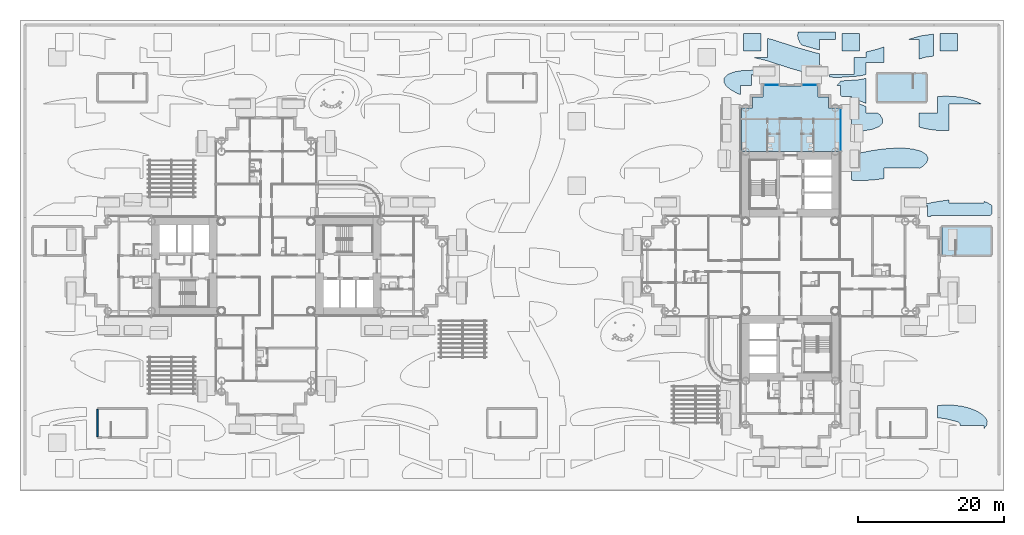
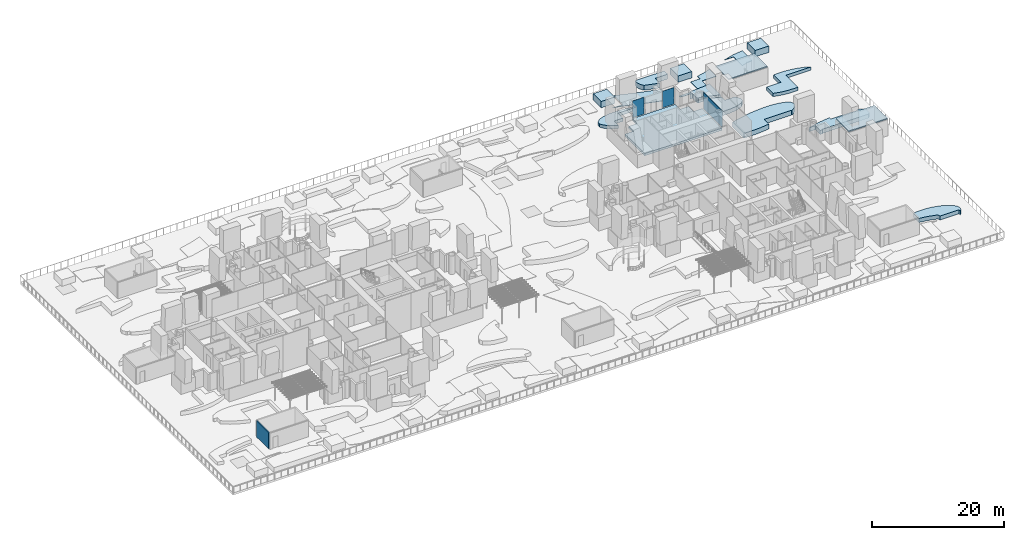
# One storey, part 22 of 40: 17 slabs, 3 plates, 1 wall, 3 elements without a shape of their own.
"""IFC4 building model written with IfcOpenShell, lengths in metres."""

import ifcopenshell
import ifcopenshell.guid

model = None  # the IFC model being written
_history = None  # IfcOwnerHistory: only IFC2X3 demands one
_inside = {}  # id of a spatial element -> (the spatial element, [elements in it])
_under = {}  # id of a project, library or spatial element -> (it, [spatial elements below it])
_declared = {}  # id of a project -> (the project, [libraries it declares])
_typed = {}  # id of a type object -> (the type object, [elements of that type])
_made_of = {}  # id of a material, layer set ... -> (it, [elements and type objects made of it])


def new_model(schema):
    """Start an empty IFC model of exactly this schema.

    Asked for "IFC4X3", IfcOpenShell would pick the latest addendum, in which some entities
    have other attributes; the version numbers below select the first issue.
    IFC2X3 requires an IfcOwnerHistory on every rooted entity: one is made here for all.
    """
    global model, _history
    if schema == "IFC4X3":
        model = ifcopenshell.file(schema_version=(4, 3, 0, 0))
    else:
        model = ifcopenshell.file(schema=schema)
    _inside.clear()
    _under.clear()
    _declared.clear()
    _typed.clear()
    _made_of.clear()
    _history = None
    if model.schema == "IFC2X3":
        org = make("IfcOrganization", Name="unknown")
        user = make(
            "IfcPersonAndOrganization",
            ThePerson=make("IfcPerson", FamilyName="unknown"),
            TheOrganization=org,
        )
        app = make(
            "IfcApplication",
            ApplicationDeveloper=org,
            Version="unknown",
            ApplicationFullName="unknown",
            ApplicationIdentifier="unknown",
        )
        _history = make(
            "IfcOwnerHistory",
            OwningUser=user,
            OwningApplication=app,
            ChangeAction="ADDED",
            CreationDate=0,
        )
    return model


def make(cls, **values):
    """One entity of the class cls with the attributes given. An attribute that is None is left unset."""
    return model.create_entity(
        cls, **{name: value for name, value in values.items() if value is not None}
    )


def rooted(cls, **values):
    """An entity with a GlobalId (a new one), such as an element, a storey or a relation."""
    return make(cls, GlobalId=ifcopenshell.guid.new(), OwnerHistory=_history, **values)


def si_unit(unit_type, name, prefix=None):
    """IfcSIUnit, for example si_unit("LENGTHUNIT", "METRE", prefix="MILLI")."""
    return make("IfcSIUnit", UnitType=unit_type, Prefix=prefix, Name=name)


def assignment(units):
    """IfcUnitAssignment: the units of a project."""
    return None if units is None else make("IfcUnitAssignment", Units=units)


def point(xyz):
    """IfcCartesianPoint."""
    return None if xyz is None else make("IfcCartesianPoint", Coordinates=xyz)


def direction(xyz):
    """IfcDirection."""
    return None if xyz is None else make("IfcDirection", DirectionRatios=xyz)


def frame(location, z_axis=None, x_axis=None):
    """IfcAxis2Placement3D, a coordinate frame: its origin and axes. An axis left out is left unset."""
    return make(
        "IfcAxis2Placement3D",
        Location=point(location),
        Axis=direction(z_axis),
        RefDirection=direction(x_axis),
    )


def frame_2d(location, x_axis=None):
    """IfcAxis2Placement2D, a coordinate frame in the plane: its origin and x axis."""
    return make(
        "IfcAxis2Placement2D", Location=point(location), RefDirection=direction(x_axis)
    )


def origin():
    """The frame at (0, 0, 0) with its axes left unset."""
    return frame((0.0, 0.0, 0.0))


def origin_2d():
    """The frame at (0, 0) in the plane with its x axis left unset."""
    return frame_2d((0.0, 0.0))


def place(relative_to, where):
    """IfcLocalPlacement: puts the frame where relative to a parent placement (None: the world)."""
    return make(
        "IfcLocalPlacement", PlacementRelTo=relative_to, RelativePlacement=where
    )


def context(
    kind, dimensions, precision=None, world=None, true_north=None, identifier=None
):
    """IfcGeometricRepresentationContext, for example the 3D "Model" context."""
    return make(
        "IfcGeometricRepresentationContext",
        ContextIdentifier=identifier,
        ContextType=kind,
        CoordinateSpaceDimension=dimensions,
        Precision=precision,
        WorldCoordinateSystem=world,
        TrueNorth=true_north,
    )


def subcontext(parent, identifier, kind, view, scale=None):
    """IfcGeometricRepresentationSubContext, for example "Body" below "Model"."""
    return make(
        "IfcGeometricRepresentationSubContext",
        ContextIdentifier=identifier,
        ContextType=kind,
        ParentContext=parent,
        TargetScale=scale,
        TargetView=view,
    )


def project(units=None, contexts=None):
    """IfcProject with its units and contexts."""
    return rooted(
        "IfcProject",
        Name="project",
        RepresentationContexts=contexts,
        UnitsInContext=assignment(units),
    )


def spatial(cls, under=None, at=None, **own):
    """A site, building, storey or space (cls), placed at a placement, below another one or the project."""
    s = rooted(cls, ObjectPlacement=at, **own)
    if under is not None:
        _under.setdefault(under.id(), (under, []))[1].append(s)
    return s


def polyline(points):
    """IfcPolyline through the points."""
    return make("IfcPolyline", Points=[point(p) for p in points])


def profile(cls, at=None, kind="AREA", **sizes):
    """A parametric profile (cls). Its sizes go by their IFC names, for example OverallWidth=200.0."""
    return make(cls, ProfileType=kind, Position=at, **sizes)


def rectangle(**sizes):
    """IfcRectangleProfileDef."""
    return profile("IfcRectangleProfileDef", **sizes)


def outline(outer, holes=None, kind="AREA"):
    """IfcArbitraryClosedProfileDef: a profile drawn as a closed curve; with holes, ...WithVoids."""
    if holes is None:
        return make("IfcArbitraryClosedProfileDef", ProfileType=kind, OuterCurve=outer)
    return make(
        "IfcArbitraryProfileDefWithVoids",
        ProfileType=kind,
        OuterCurve=outer,
        InnerCurves=holes,
    )


def extrude(swept, where, along, depth):
    """IfcExtrudedAreaSolid: the profile swept, set in the frame where, extruded along a direction by depth."""
    return make(
        "IfcExtrudedAreaSolid",
        SweptArea=swept,
        Position=where,
        ExtrudedDirection=direction(along),
        Depth=depth,
    )


def shape(context_of_items, identifier, shape_type, items):
    """IfcShapeRepresentation: the items that make up one representation, for example the "Body"."""
    return make(
        "IfcShapeRepresentation",
        ContextOfItems=context_of_items,
        RepresentationIdentifier=identifier,
        RepresentationType=shape_type,
        Items=items,
    )


def material(Name=None, Category=None):
    """IfcMaterial."""
    return make("IfcMaterial", Name=Name, Category=Category)


def layer(
    of_material, thickness, ventilated=None, Name=None, Category=None, Priority=None
):
    """IfcMaterialLayer: one layer of a wall or slab, of a material (None: an air gap)."""
    return make(
        "IfcMaterialLayer",
        Material=of_material,
        LayerThickness=thickness,
        IsVentilated=ventilated,
        Name=Name,
        Category=Category,
        Priority=Priority,
    )


def layer_set(layers, Name=None):
    """IfcMaterialLayerSet."""
    return make("IfcMaterialLayerSet", MaterialLayers=layers, LayerSetName=Name)


def made_of(thing, what):
    """Note that an element or type object is made of a material, layer set ...; save() writes the relation."""
    if what is not None:
        _made_of.setdefault(what.id(), (what, []))[1].append(thing)
    return thing


def type_object(cls, material=None, **own):
    """A type object (cls), such as IfcWallType, which elements share."""
    return made_of(rooted(cls, **own), material)


def element(
    cls,
    number,
    at=None,
    inside=None,
    cuts=None,
    type_object=None,
    material=None,
    context=None,
    identifier="Body",
    shape_type=None,
    held_by="IfcProductDefinitionShape",
    body=None,
    shapes=None,
    **own,
):
    """One element of the class cls, such as IfcWall. Its Tag is "e" and its number.

    at: its placement. inside: the storey or other place that contains it. cuts: it is an
    opening in that element (IfcRelVoidsElement). A single representation is given by context,
    identifier, shape_type and body (its items); several are given by shapes. held_by: the class
    of the entity that holds the representations. save() writes the other relations.
    """
    e = rooted(cls, Tag="e%d" % number, ObjectPlacement=at, **own)
    if body is not None:
        shapes = [shape(context, identifier, shape_type, body)]
    if shapes is not None:
        e.Representation = make(held_by, Representations=shapes)
    if inside is not None:
        _inside.setdefault(inside.id(), (inside, []))[1].append(e)
    if cuts is not None:
        rooted(
            "IfcRelVoidsElement", RelatingBuildingElement=cuts, RelatedOpeningElement=e
        )
    if type_object is not None:
        _typed.setdefault(type_object.id(), (type_object, []))[1].append(e)
    return made_of(e, material)


def aggregate(whole, parts):
    """IfcRelAggregates: a whole, such as a stair, and the parts it consists of."""
    return rooted("IfcRelAggregates", RelatingObject=whole, RelatedObjects=parts)


def save(model, path):
    """Write the relations noted so far, then the file.

    IfcRelAggregates (storeys below a building ...), IfcRelContainedInSpatialStructure (elements
    in a storey), IfcRelDefinesByType, IfcRelAssociatesMaterial and IfcRelDeclares: one each for
    every whole, place, type object, material and project.
    """
    for whole, parts in _under.values():
        aggregate(whole, parts)
    for where, things in _inside.values():
        rooted(
            "IfcRelContainedInSpatialStructure",
            RelatedElements=things,
            RelatingStructure=where,
        )
    for kind, things in _typed.values():
        rooted("IfcRelDefinesByType", RelatedObjects=things, RelatingType=kind)
    for what, things in _made_of.values():
        rooted("IfcRelAssociatesMaterial", RelatedObjects=things, RelatingMaterial=what)
    for by, libraries in _declared.values():
        rooted("IfcRelDeclares", RelatingContext=by, RelatedDefinitions=libraries)
    model.write(path)


model = new_model("IFC4")

# Units and contexts
model_context = context("Model", 3, precision=1e-05, world=origin(), true_north=direction((0.0, 1.0)))
body_context = subcontext(model_context, "Body", "Model", "MODEL_VIEW")
ifc_project = project(units=[si_unit("LENGTHUNIT", "METRE"), si_unit("AREAUNIT", "SQUARE_METRE"), si_unit("VOLUMEUNIT", "CUBIC_METRE"), si_unit("PLANEANGLEUNIT", "RADIAN"), si_unit("MASSUNIT", "GRAM", prefix="KILO")], contexts=[model_context])

# Site, building, storey
site_placement = place(None, origin())
site = spatial("IfcSite", under=ifc_project, at=site_placement, CompositionType="ELEMENT")
building_placement = place(site_placement, origin())
building = spatial("IfcBuilding", under=site, at=building_placement, Name="Ipe Terrace Towers", CompositionType="ELEMENT")
storey_placement = place(building_placement, frame((0.0, 0.0, 24.5)))
storey = spatial("IfcBuildingStorey", under=building, at=storey_placement, Name="L05", CompositionType="ELEMENT", Elevation=24.5)

# Slabs
ifc_material_1 = material(Name="Concrete C30/37", Category="concrete")
ifc_layer_1 = layer(ifc_material_1, 0.60009765625)
ifc_layer_set_1 = layer_set([ifc_layer_1], Name="CURVED GARDEN BED 600")
slab_type_1 = type_object("IfcSlabType", Name="CURVED GARDEN BED 600", PredefinedType="USERDEFINED", material=ifc_layer_set_1)
slab_1_placement = place(storey_placement, frame((0.0, 0.0, -0.02001953125)))
element("IfcSlab", 1, at=slab_1_placement, inside=storey, type_object=slab_type_1, Name="curved garden bed", ObjectType="PLANTER", PredefinedType="USERDEFINED", context=body_context, shape_type="SweptSolid", body=[
    extrude(outline(polyline([(59.422119140625, 23.2119140625), (60.37890625, 23.007080078125), (61.195068359375, 22.756103515625), (61.909912109375, 22.466064453125), (62.195068359375, 22.306884765625), (57.7900390625, 22.306884765625), (57.7900390625, 18.660888671875), (57.5400390625, 18.637939453125), (56.218017578125, 18.656005859375), (55.077880859375, 18.7880859375), (54.12109375, 18.992919921875), (53.669921875, 19.132080078125), (53.669921875, 21.050048828125), (56.169921875, 21.050048828125), (56.169921875, 23.2890625), (56.9599609375, 23.362060546875), (58.281982421875, 23.343994140625), (59.422119140625, 23.2119140625)])), origin(), (0.0, 0.0, 1.0), 0.60009765625),
])
slab_2_placement = place(storey_placement, frame((0.0, 0.0, -0.02001953125)))
element("IfcSlab", 2, at=slab_2_placement, inside=storey, type_object=slab_type_1, Name="curved garden bed", ObjectType="PLANTER", PredefinedType="USERDEFINED", context=body_context, shape_type="SweptSolid", body=[
    extrude(outline(polyline([(27.200927734375, 24.7109375), (26.830078125, 25.2880859375), (26.875, 25.85498046875), (27.376953125, 26.346923828125), (28.29296875, 26.70703125), (29.506103515625, 26.90087890625), (30.865966796875, 26.927978515625), (32.22998046875, 26.81494140625), (33.508056640625, 26.60498046875), (34.613037109375, 26.35009765625), (30.64990234375, 26.35009765625), (30.64990234375, 24.85009765625), (29.14990234375, 24.85009765625), (29.14990234375, 23.552001953125), (28.764892578125, 23.708984375), (27.886962890625, 24.176025390625), (27.200927734375, 24.7109375)])), origin(), (0.0, 0.0, 1.0), 0.60009765625),
])
ifc_material_2 = material(Name="Concrete C30/37", Category="concrete")
ifc_layer_2 = layer(ifc_material_2, 0.75)
ifc_layer_set_2 = layer_set([ifc_layer_2], Name="CURVED GARDEN BED 750")
slab_type_2 = type_object("IfcSlabType", Name="CURVED GARDEN BED 750", PredefinedType="USERDEFINED", material=ifc_layer_set_2)
slab_3_placement = place(storey_placement, frame((0.0, 0.0, -0.02001953125)))
element("IfcSlab", 3, at=slab_3_placement, inside=storey, type_object=slab_type_2, Name="curved garden bed", ObjectType="PLANTER", PredefinedType="USERDEFINED", context=body_context, shape_type="SweptSolid", body=[
    extrude(outline(polyline([(59.492919921875, -19.216064453125), (60.451904296875, -19.447021484375), (61.22607421875, -19.72998046875), (61.867919921875, -20.048095703125), (62.405029296875, -20.404052734375), (62.81689453125, -20.81689453125), (63.030029296875, -21.298095703125), (62.946044921875, -21.843994140625), (62.590087890625, -22.291015625), (62.590087890625, -21.8359375), (59.2919921875, -21.8359375), (59.29296875, -21.823974609375), (59.2890625, -21.77392578125), (59.280029296875, -21.72509765625), (59.26708984375, -21.677001953125), (59.2490234375, -21.631103515625), (59.22607421875, -21.5869140625), (59.198974609375, -21.544921875), (59.1689453125, -21.506103515625), (59.134033203125, -21.469970703125), (59.095947265625, -21.43798828125), (59.054931640625, -21.409912109375), (59.010986328125, -21.385986328125), (58.965087890625, -21.365966796875), (58.91796875, -21.35107421875), (57.64306640625, -21.02099609375), (57.615966796875, -21.014892578125), (57.39404296875, -20.970947265625), (57.365966796875, -20.966064453125), (56.239990234375, -20.806884765625), (56.18994140625, -20.802978515625), (56.169921875, -20.802978515625), (56.169921875, -19.152099609375), (56.950927734375, -19.068115234375), (58.318115234375, -19.075927734375), (59.492919921875, -19.216064453125)])), origin(), (0.0, 0.0, 1.0), 0.75),
])
slab_4_placement = place(storey_placement, frame((0.0, 0.0, -0.02001953125)))
element("IfcSlab", 4, at=slab_4_placement, inside=storey, type_object=slab_type_2, Name="curved garden bed", ObjectType="PLANTER", PredefinedType="USERDEFINED", context=body_context, shape_type="SweptSolid", body=[
    extrude(outline(polyline([(63.64990234375, 8.360107421875), (63.64990234375, 7.175048828125), (63.404052734375, 6.949951171875), (55.2900390625, 6.949951171875), (55.2900390625, 6.85009765625), (54.85009765625, 6.85009765625), (54.85009765625, 8.35009765625), (53.77294921875, 8.35009765625), (54.659912109375, 8.587890625), (55.833984375, 8.826904296875), (57.0029296875, 9.010986328125), (57.7900390625, 9.10302734375), (57.7900390625, 8.677978515625), (62.590087890625, 8.677978515625), (62.590087890625, 8.89306640625), (62.949951171875, 8.79296875), (63.64990234375, 8.360107421875), (63.64990234375, 8.360107421875)])), origin(), (0.0, 0.0, 1.0), 0.75),
])
slab_5_placement = place(storey_placement, frame((0.0, 0.0, -0.02001953125)))
element("IfcSlab", 5, at=slab_5_placement, inside=storey, type_object=slab_type_2, Name="curved garden bed", ObjectType="PLANTER", PredefinedType="USERDEFINED", context=body_context, shape_type="SweptSolid", body=[
    extrude(outline(polyline([(48.625, 19.64501953125), (48.123046875, 19.153076171875), (47.20703125, 18.79296875), (45.993896484375, 18.59912109375), (44.634033203125, 18.572021484375), (44.35009765625, 18.595947265625), (44.35009765625, 22.64404296875), (44.74609375, 22.531005859375), (45.763916015625, 22.18798828125), (46.3701171875, 21.93994140625), (46.3701171875, 21.050048828125), (47.964111328125, 21.050048828125), (48.299072265625, 20.7890625), (48.669921875, 20.2119140625), (48.625, 19.64501953125)])), origin(), (0.0, 0.0, 1.0), 0.75),
])
ifc_material_3 = material(Name="Concrete C30/37", Category="concrete")
ifc_layer_3 = layer(ifc_material_3, 0.89990234375)
ifc_layer_set_3 = layer_set([ifc_layer_3], Name="CURVED GARDEN BED 900")
slab_type_3 = type_object("IfcSlabType", Name="CURVED GARDEN BED 900", PredefinedType="USERDEFINED", material=ifc_layer_set_3)
slab_6_placement = place(storey_placement, frame((0.0, 0.0, -0.02001953125)))
element("IfcSlab", 6, at=slab_6_placement, inside=storey, type_object=slab_type_3, Name="curved garden bed", ObjectType="PLANTER", PredefinedType="USERDEFINED", context=body_context, shape_type="SweptSolid", body=[
    extrude(outline(polyline([(46.833984375, 15.826904296875), (48.0029296875, 16.010986328125), (49.197021484375, 16.14990234375), (50.43798828125, 16.22900390625), (51.70703125, 16.217041015625), (52.9208984375, 16.080078125), (53.949951171875, 15.79296875), (54.64990234375, 15.360107421875), (54.9130859375, 14.818115234375), (54.705078125, 14.22509765625), (54.072998046875, 13.64794921875), (53.669921875, 13.429931640625), (53.669921875, 13.47900390625), (48.8701171875, 13.47900390625), (48.8701171875, 12.047119140625), (48.4970703125, 11.989013671875), (47.302978515625, 11.85009765625), (46.06201171875, 11.77099609375), (44.79296875, 11.782958984375), (44.35009765625, 11.8330078125), (44.35009765625, 15.222900390625), (44.485107421875, 15.27197265625), (45.659912109375, 15.587890625), (46.833984375, 15.826904296875)])), origin(), (0.0, 0.0, 1.0), 0.89990234375),
])
slab_7_placement = place(storey_placement, frame((0.0, 0.0, -0.02001953125)))
element("IfcSlab", 7, at=slab_7_placement, inside=storey, type_object=slab_type_3, Name="curved garden bed", ObjectType="PLANTER", PredefinedType="USERDEFINED", context=body_context, shape_type="SweptSolid", body=[
    extrude(outline(polyline([(42.93310546875, 25.450927734375), (45.386962890625, 25.618896484375), (45.407958984375, 25.62109375), (45.535888671875, 25.635009765625), (45.5791015625, 25.64208984375), (45.705078125, 25.6669921875), (45.72607421875, 25.672119140625), (46.3701171875, 25.830078125), (46.3701171875, 22.3720703125), (45.916015625, 22.55810546875), (45.89208984375, 22.56689453125), (44.8740234375, 22.909912109375), (44.85595703125, 22.916015625), (44.458984375, 23.028076171875), (44.422119140625, 23.037109375), (44.383056640625, 23.0419921875), (44.35009765625, 23.04296875), (44.35009765625, 23.35009765625), (43.02197265625, 23.35009765625), (42.971923828125, 23.3779296875), (42.85009765625, 23.485107421875), (42.85009765625, 24.85009765625), (42.386962890625, 24.85009765625), (42.387939453125, 24.85400390625), (42.9150390625, 25.44091796875), (42.93310546875, 25.450927734375)])), origin(), (0.0, 0.0, 1.0), 0.89990234375),
])
slab_8_placement = place(storey_placement, frame((0.0, 0.0, -0.02001953125)))
element("IfcSlab", 8, at=slab_8_placement, inside=storey, type_object=slab_type_3, Name="curved garden bed", ObjectType="PLANTER", PredefinedType="USERDEFINED", context=body_context, shape_type="SweptSolid", body=[
    extrude(outline(polyline([(37.075927734375, 31.180908203125), (36.98193359375, 31.64697265625), (37.02099609375, 32.111083984375), (37.0400390625, 32.14990234375), (42.14990234375, 32.14990234375), (42.14990234375, 31.135986328125), (39.949951171875, 31.135986328125), (39.949951171875, 29.735107421875), (39.659912109375, 29.77392578125), (37.55908203125, 30.3740234375), (37.299072265625, 30.700927734375), (37.075927734375, 31.180908203125)])), origin(), (0.0, 0.0, 1.0), 0.89990234375),
])
ifc_material_4 = material(Name="Concrete C40/50", Category="concrete")
ifc_layer_4 = layer(ifc_material_4, 0.39990234375)
ifc_layer_set_4 = layer_set([ifc_layer_4], Name="FLAT PLATE SLAB 400 C40-50")
slab_type_4 = type_object("IfcSlabType", Name="FLAT PLATE SLAB 400 C40-50", PredefinedType="FLOOR", material=ifc_layer_set_4)
slab_9_placement = place(storey_placement, frame((0.0, 0.0, -0.39990234375)))
element("IfcSlab", 9, at=slab_9_placement, inside=storey, type_object=slab_type_4, Name="Slab T2-FS-Z13", PredefinedType="FLOOR", context=body_context, shape_type="SweptSolid", body=[
    extrude(outline(polyline([(30.75, 21.75), (30.75, 23.25), (32.25, 23.25), (32.25, 24.75), (39.75, 24.75), (39.75, 23.25), (41.25, 23.25), (41.25, 21.75), (42.75, 21.75), (42.75, 15.75), (29.25, 15.75), (29.25, 21.75), (30.75, 21.75)])), origin(), (0.0, 0.0, 1.0), 0.39990234375),
])
ifc_material_5 = material(Name="Concrete C30/37 paving", Category="concrete")
ifc_layer_5 = layer(ifc_material_5, 0.080078125)
ifc_layer_set_5 = layer_set([ifc_layer_5], Name="GARDEN PAVING 80")
slab_type_5 = type_object("IfcSlabType", Name="GARDEN PAVING 80", PredefinedType="USERDEFINED", material=ifc_layer_set_5)
slab_10_placement = place(storey_placement, frame((0.0, 0.0, -0.02001953125)))
element("IfcSlab", 10, at=slab_10_placement, inside=storey, type_object=slab_type_5, Name="garden paving path", ObjectType="PAVING", PredefinedType="USERDEFINED", context=body_context, shape_type="SweptSolid", body=[
    extrude(outline(polyline([(33.60693359375, 31.10791015625), (33.717041015625, 31.075927734375), (36.68994140625, 30.10205078125), (39.556884765625, 29.282958984375), (39.949951171875, 29.23095703125), (39.949951171875, 26.35009765625), (38.927001953125, 26.35009765625), (38.837890625, 26.368896484375), (35.837890625, 27.22509765625), (35.782958984375, 27.241943359375), (32.8369140625, 28.2080078125), (31.031005859375, 28.64990234375), (32.85009765625, 28.64990234375), (32.85009765625, 31.29296875), (33.60693359375, 31.10791015625)])), origin(), (0.0, 0.0, 1.0), 0.080078125),
])
slab_11_placement = place(storey_placement, frame((0.0, 0.0, -0.02001953125)))
element("IfcSlab", 11, at=slab_11_placement, inside=storey, type_object=slab_type_5, Name="garden paving path", ObjectType="PAVING", PredefinedType="USERDEFINED", context=body_context, shape_type="SweptSolid", body=[
    extrude(outline(polyline([(47.8369140625, 29.7919921875), (48.8701171875, 30.131103515625), (48.8701171875, 28.0), (46.3701171875, 28.0), (46.3701171875, 26.343994140625), (45.60693359375, 26.156982421875), (45.48095703125, 26.132080078125), (45.35302734375, 26.117919921875), (42.35302734375, 25.912109375), (42.200927734375, 25.909912109375), (42.051025390625, 25.922119140625), (41.35009765625, 26.01611328125), (41.35009765625, 26.3359375), (44.75, 26.3359375), (44.75, 28.64990234375), (46.35009765625, 28.64990234375), (46.35009765625, 29.427978515625), (47.8369140625, 29.7919921875)])), origin(), (0.0, 0.0, 1.0), 0.080078125),
])
slab_12_placement = place(storey_placement, frame((0.0, 0.0, -0.02001953125)))
element("IfcSlab", 12, at=slab_12_placement, inside=storey, type_object=slab_type_5, Name="garden paving path", ObjectType="PAVING", PredefinedType="USERDEFINED", context=body_context, shape_type="SweptSolid", body=[
    extrude(outline(polyline([(53.837890625, 31.631103515625), (54.051025390625, 31.676025390625), (55.64990234375, 31.889892578125), (55.64990234375, 28.863037109375), (54.556884765625, 28.717041015625), (53.669921875, 28.464111328125), (53.669921875, 31.135986328125), (52.10107421875, 31.135986328125), (53.837890625, 31.631103515625)])), origin(), (0.0, 0.0, 1.0), 0.080078125),
])
ifc_material_6 = material(Name="Concrete C30/37", Category="concrete")
ifc_layer_6 = layer(ifc_material_6, 0.199951171875)
ifc_layer_set_6 = layer_set([ifc_layer_6], Name="STAIR HEAD ROOF SLAB 200 C30-37")
slab_type_6 = type_object("IfcSlabType", Name="STAIR HEAD ROOF SLAB 200 C30-37", PredefinedType="ROOF", material=ifc_layer_set_6)
slab_13_placement = place(storey_placement, frame((0.0, 0.0, 3.0)))
element("IfcSlab", 13, at=slab_13_placement, inside=storey, type_object=slab_type_6, Name="Stair head roof PS3", PredefinedType="ROOF", context=body_context, shape_type="SweptSolid", body=[
    extrude(outline(polyline([(47.8701171875, 22.550048828125), (54.669921875, 22.550048828125), (54.669921875, 26.5), (47.8701171875, 26.5), (47.8701171875, 22.550048828125)])), origin(), (0.0, 0.0, 1.0), 0.199951171875),
])
slab_14_placement = place(storey_placement, frame((0.0, 0.0, 3.0)))
element("IfcSlab", 14, at=slab_14_placement, inside=storey, type_object=slab_type_6, Name="Stair head roof PS8", PredefinedType="ROOF", context=body_context, shape_type="SweptSolid", body=[
    extrude(outline(polyline([(56.7900390625, 1.5), (63.590087890625, 1.5), (63.590087890625, 5.449951171875), (56.7900390625, 5.449951171875), (56.7900390625, 1.5)])), origin(), (0.0, 0.0, 1.0), 0.199951171875),
])

# Curtain wall, plate
ifc_material_7 = material(Name="Aluminium alloy 6063-T6", Category="aluminium")
ifc_layer_7 = layer(ifc_material_7, 0.320068359375)
ifc_layer_set_7 = layer_set([ifc_layer_7], Name="TOWER UNITISED CURTAIN WALL")
curtain_wall_type = type_object("IfcCurtainWallType", Name="TOWER UNITISED CURTAIN WALL", PredefinedType="NOTDEFINED", material=ifc_layer_set_7)
curtain_wall_1_placement = place(storey_placement, origin())
curtain_wall_1 = element("IfcCurtainWall", 15, at=curtain_wall_1_placement, inside=storey, type_object=curtain_wall_type, Name="T2-CW-L05-20b curtain wall", PredefinedType="NOTDEFINED")
ifc_material_8 = material(Name="Glass, clear laminated", Category="glass")
ifc_layer_8 = layer(ifc_material_8, 0.031982421875)
ifc_layer_set_8 = layer_set([ifc_layer_8], Name="TOWER UNITISED GLASS PANEL 32")
plate_type = type_object("IfcPlateType", Name="TOWER UNITISED GLASS PANEL 32", PredefinedType="CURTAIN_PANEL", material=ifc_layer_set_8)
plate_1_placement = place(storey_placement, frame((42.909912109375, 18.75048828125, 0.0), z_axis=(0.0, 0.0, 1.0), x_axis=(0.0, 1.0, 0.0)))
plate_1 = element("IfcPlate", 16, at=plate_1_placement, type_object=plate_type, Name="T2-CW-L05-20b panel 1", PredefinedType="CURTAIN_PANEL", context=body_context, shape_type="SweptSolid", body=[
    extrude(rectangle(XDim=5.759033203125, YDim=0.031982421875, at=origin_2d()), origin(), (0.0, 0.0, 1.0), 3.10009765625),
])
aggregate(curtain_wall_1, [plate_1])

curtain_wall_2_placement = place(storey_placement, origin())
curtain_wall_2 = element("IfcCurtainWall", 17, at=curtain_wall_2_placement, inside=storey, type_object=curtain_wall_type, Name="T2-CW-L05-25a curtain wall", PredefinedType="NOTDEFINED")
plate_2_placement = place(storey_placement, frame((38.625, 24.909912109375, 0.0), z_axis=(0.0, 0.0, 1.0), x_axis=(-1.0, 0.0, 0.0)))
plate_2 = element("IfcPlate", 18, at=plate_2_placement, type_object=plate_type, Name="T2-CW-L05-25a panel 1", PredefinedType="CURTAIN_PANEL", context=body_context, shape_type="SweptSolid", body=[
    extrude(rectangle(XDim=2.010009765625, YDim=0.031982421875, at=origin_2d()), origin(), (0.0, 0.0, 1.0), 3.10009765625),
])
aggregate(curtain_wall_2, [plate_2])

curtain_wall_3_placement = place(storey_placement, origin())
curtain_wall_3 = element("IfcCurtainWall", 19, at=curtain_wall_3_placement, inside=storey, type_object=curtain_wall_type, Name="T2-CW-L05-25c curtain wall", PredefinedType="NOTDEFINED")
plate_3_placement = place(storey_placement, frame((33.375, 24.909912109375, 0.0), z_axis=(0.0, 0.0, 1.0), x_axis=(-1.0, 0.0, 0.0)))
plate_3 = element("IfcPlate", 20, at=plate_3_placement, type_object=plate_type, Name="T2-CW-L05-25c panel 1", PredefinedType="CURTAIN_PANEL", context=body_context, shape_type="SweptSolid", body=[
    extrude(rectangle(XDim=2.010009765625, YDim=0.031982421875, at=origin_2d()), origin(), (0.0, 0.0, 1.0), 3.10009765625),
])
aggregate(curtain_wall_3, [plate_3])

# Slabs
ifc_material_9 = material(Name="Concrete C30/37", Category="concrete")
ifc_layer_9 = layer(ifc_material_9, 1.199951171875)
ifc_layer_set_9 = layer_set([ifc_layer_9], Name="TREE PIT PLANTER 2400 x 2400 x 1200")
slab_type_7 = type_object("IfcSlabType", Name="TREE PIT PLANTER 2400 x 2400 x 1200", PredefinedType="USERDEFINED", material=ifc_layer_set_9)
slab_15_placement = place(storey_placement, origin())
element("IfcSlab", 21, at=slab_15_placement, inside=storey, type_object=slab_type_7, Name="planter", ObjectType="PLANTER", PredefinedType="USERDEFINED", context=body_context, shape_type="SweptSolid", body=[
    extrude(outline(polyline([(29.550048828125, 29.550048828125), (31.949951171875, 29.550048828125), (31.949951171875, 31.949951171875), (29.550048828125, 31.949951171875), (29.550048828125, 29.550048828125)])), origin(), (0.0, 0.0, 1.0), 1.199951171875),
])
slab_16_placement = place(storey_placement, origin())
element("IfcSlab", 22, at=slab_16_placement, inside=storey, type_object=slab_type_7, Name="planter", ObjectType="PLANTER", PredefinedType="USERDEFINED", context=body_context, shape_type="SweptSolid", body=[
    extrude(outline(polyline([(43.050048828125, 29.550048828125), (45.449951171875, 29.550048828125), (45.449951171875, 31.949951171875), (43.050048828125, 31.949951171875), (43.050048828125, 29.550048828125)])), origin(), (0.0, 0.0, 1.0), 1.199951171875),
])
slab_17_placement = place(storey_placement, origin())
element("IfcSlab", 23, at=slab_17_placement, inside=storey, type_object=slab_type_7, Name="planter", ObjectType="PLANTER", PredefinedType="USERDEFINED", context=body_context, shape_type="SweptSolid", body=[
    extrude(outline(polyline([(56.550048828125, 29.550048828125), (58.949951171875, 29.550048828125), (58.949951171875, 31.949951171875), (56.550048828125, 31.949951171875), (56.550048828125, 29.550048828125)])), origin(), (0.0, 0.0, 1.0), 1.199951171875),
])

# Wall
ifc_material_10 = material(Name="Concrete C40/50", Category="concrete")
ifc_layer_10 = layer(ifc_material_10, 0.199951171875)
ifc_layer_set_10 = layer_set([ifc_layer_10], Name="RW200 PODIUM STAIR SHAFT WALL 200 C40-50")
wall_type = type_object("IfcWallType", Name="RW200 PODIUM STAIR SHAFT WALL 200 C40-50", PredefinedType="SHEAR", material=ifc_layer_set_10)
wall_placement = place(storey_placement, frame((-59.169921875, -23.39990234375, 0.0), z_axis=(0.0, 0.0, 1.0), x_axis=(0.0, 1.0, 0.0)))
element("IfcWall", 24, at=wall_placement, inside=storey, type_object=wall_type, Name="Stair shaft wall T1 L05 ps4-w", PredefinedType="SHEAR", context=body_context, shape_type="SweptSolid", body=[
    extrude(rectangle(XDim=3.75, YDim=0.199951171875, at=frame_2d((1.875, 0.0))), origin(), (0.0, 0.0, 1.0), 3.0),
])

save(model, "model.ifc")
